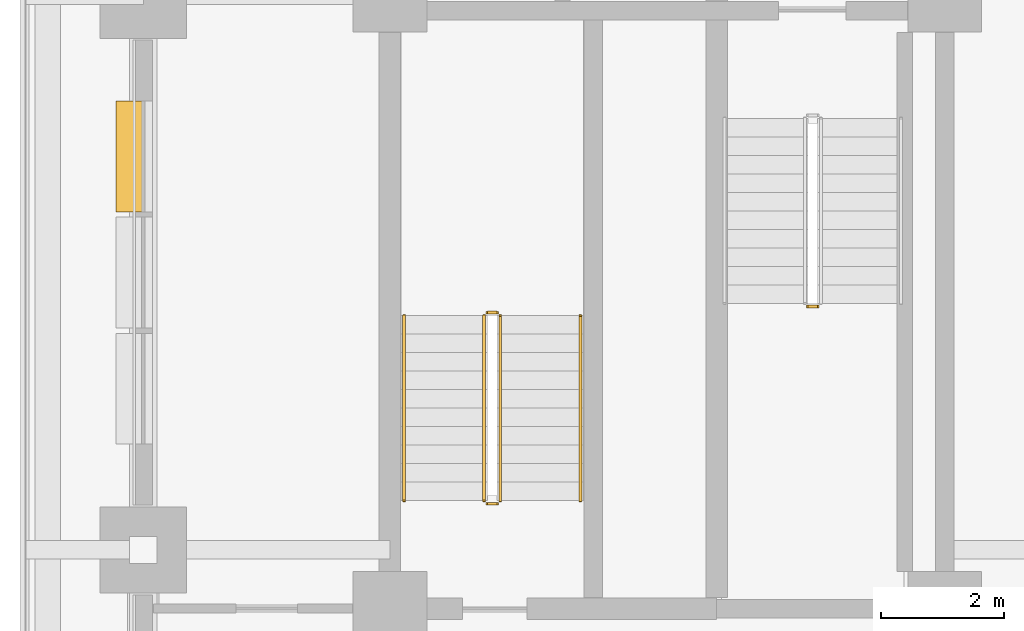
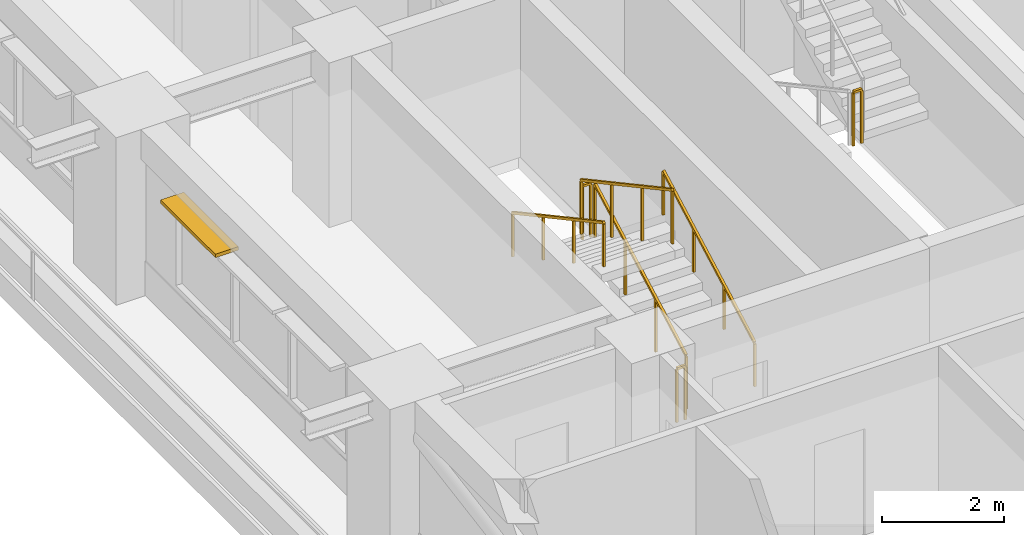
# One storey, part 9 of 15: 7 railings, 1 shading device.
"""IFC4 building model written with IfcOpenShell, lengths in metres."""

from ifc_helpers import new_model, si_unit, direction, frame, frame_2d, origin, origin_2d, place, context, subcontext, project, spatial, rectangle, extrude, material, layer, layer_set, type_object, element, save


model = new_model("IFC4")

# Units and contexts
model_context = context("Model", 3, precision=1e-05, world=origin(), true_north=direction((0.0, 1.0)))
body_context = subcontext(model_context, "Body", "Model", "MODEL_VIEW")
ifc_project = project(units=[si_unit("LENGTHUNIT", "METRE"), si_unit("AREAUNIT", "SQUARE_METRE"), si_unit("VOLUMEUNIT", "CUBIC_METRE"), si_unit("PLANEANGLEUNIT", "RADIAN"), si_unit("MASSUNIT", "GRAM", prefix="KILO")], contexts=[model_context])

# Site, building, storey
site_placement = place(None, origin())
site = spatial("IfcSite", under=ifc_project, at=site_placement, CompositionType="ELEMENT")
building_placement = place(site_placement, origin())
building = spatial("IfcBuilding", under=site, at=building_placement, Name="Zulmaris Gate Convention Tower", CompositionType="ELEMENT")
storey_placement = place(building_placement, frame((0.0, 0.0, 37.909912109375)))
storey = spatial("IfcBuildingStorey", under=building, at=storey_placement, Name="L08", CompositionType="ELEMENT", Elevation=37.909912109375)

# Railings
ifc_material_1 = material(Name="Painted Galvanised Steel", Category="steel")
railing_type_1 = type_object("IfcRailingType", Name="RL-STG-1150", PredefinedType="GUARDRAIL", material=ifc_material_1)
railing_1_placement = place(storey_placement, frame((-13.219970703125, -5.050048828125, 1.78515625)))
element("IfcRailing", 1, at=railing_1_placement, inside=storey, type_object=railing_type_1, Name="L08 ST-1 stair guard 2", PredefinedType="GUARDRAIL", context=body_context, shape_type="SweptSolid", body=[
    extrude(rectangle(XDim=0.048095703125, YDim=0.048095703125, at=origin_2d()), frame((0.0, 0.0, 1.076171875), z_axis=(1.0, 0.0, 0.0), x_axis=(0.0, 1.0, 0.0)), (0.0, 0.0, 1.0), 0.159912109375),
    extrude(rectangle(XDim=0.0419921875, YDim=0.0419921875, at=origin_2d()), origin(), (0.0, 0.0, 1.0), 1.052001953125),
    extrude(rectangle(XDim=0.0419921875, YDim=0.0419921875, at=origin_2d()), frame((0.159912109375, 0.0, 0.0)), (0.0, 0.0, 1.0), 1.052001953125),
])
railing_2_placement = place(storey_placement, frame((-18.2099609375, -8.199951171875, 0.162353515625)))
element("IfcRailing", 2, at=railing_2_placement, inside=storey, type_object=railing_type_1, Name="L08 ST-3 stair guard 1", PredefinedType="GUARDRAIL", context=body_context, shape_type="SweptSolid", body=[
    extrude(rectangle(XDim=0.048095703125, YDim=0.048095703125, at=origin_2d()), frame((0.0, 0.0, 1.076171875), z_axis=(0.0, 0.8795616155, 0.475784998228), x_axis=(-1.0, 0.0, 0.0)), (0.0, 0.0, 1.0), 3.410888671875),
    extrude(rectangle(XDim=0.0419921875, YDim=0.0419921875, at=origin_2d()), origin(), (0.0, 0.0, 1.0), 1.052001953125),
    extrude(rectangle(XDim=0.0419921875, YDim=0.0419921875, at=origin_2d()), frame((0.0, 1.0, 0.541015625)), (0.0, 0.0, 1.0), 1.052001953125),
    extrude(rectangle(XDim=0.0419921875, YDim=0.0419921875, at=origin_2d()), frame((0.0, 2.0, 1.081787109375)), (0.0, 0.0, 1.0), 1.052001953125),
    extrude(rectangle(XDim=0.0419921875, YDim=0.0419921875, at=origin_2d()), frame((0.0, 3.0, 1.622802734375)), (0.0, 0.0, 1.0), 1.052001953125),
])
railing_3_placement = place(storey_placement, frame((-18.260009765625, -5.14990234375, 1.78515625)))
element("IfcRailing", 3, at=railing_3_placement, inside=storey, type_object=railing_type_1, Name="L08 ST-3 stair guard 2", PredefinedType="GUARDRAIL", context=body_context, shape_type="SweptSolid", body=[
    extrude(rectangle(XDim=0.048095703125, YDim=0.048095703125, at=origin_2d()), frame((0.0, 0.0, 1.076171875), z_axis=(-1.0, 0.0, 0.0), x_axis=(0.0, -1.0, 0.0)), (0.0, 0.0, 1.0), 0.159912109375),
    extrude(rectangle(XDim=0.0419921875, YDim=0.0419921875, at=origin_2d()), origin(), (0.0, 0.0, 1.0), 1.052001953125),
    extrude(rectangle(XDim=0.0419921875, YDim=0.0419921875, at=origin_2d()), frame((-0.159912109375, 0.0, 0.0)), (0.0, 0.0, 1.0), 1.052001953125),
])
railing_4_placement = place(storey_placement, frame((-18.469970703125, -5.199951171875, 1.947265625)))
element("IfcRailing", 4, at=railing_4_placement, inside=storey, type_object=railing_type_1, Name="L08 ST-3 stair guard 3", PredefinedType="GUARDRAIL", context=body_context, shape_type="SweptSolid", body=[
    extrude(rectangle(XDim=0.048095703125, YDim=0.048095703125, at=origin_2d()), frame((0.0, 0.0, 1.076171875), z_axis=(0.0, -0.8795616155, 0.475784998228), x_axis=(1.0, 0.0, 0.0)), (0.0, 0.0, 1.0), 3.410888671875),
    extrude(rectangle(XDim=0.0419921875, YDim=0.0419921875, at=origin_2d()), origin(), (0.0, 0.0, 1.0), 1.052001953125),
    extrude(rectangle(XDim=0.0419921875, YDim=0.0419921875, at=origin_2d()), frame((0.0, -1.0, 0.541015625)), (0.0, 0.0, 1.0), 1.052001953125),
    extrude(rectangle(XDim=0.0419921875, YDim=0.0419921875, at=origin_2d()), frame((0.0, -2.0, 1.081787109375)), (0.0, 0.0, 1.0), 1.052001953125),
    extrude(rectangle(XDim=0.0419921875, YDim=0.0419921875, at=origin_2d()), frame((0.0, -3.0, 1.622802734375)), (0.0, 0.0, 1.0), 1.052001953125),
])
railing_5_placement = place(storey_placement, frame((-18.260009765625, -8.25, 0.0)))
element("IfcRailing", 5, at=railing_5_placement, inside=storey, type_object=railing_type_1, Name="L08 ST-3 stair guard 4", PredefinedType="GUARDRAIL", context=body_context, shape_type="SweptSolid", body=[
    extrude(rectangle(XDim=0.048095703125, YDim=0.048095703125, at=origin_2d()), frame((0.0, 0.0, 1.076171875), z_axis=(-1.0, 0.0, 0.0), x_axis=(0.0, -1.0, 0.0)), (0.0, 0.0, 1.0), 0.159912109375),
    extrude(rectangle(XDim=0.0419921875, YDim=0.0419921875, at=origin_2d()), origin(), (0.0, 0.0, 1.0), 1.052001953125),
    extrude(rectangle(XDim=0.0419921875, YDim=0.0419921875, at=origin_2d()), frame((-0.159912109375, 0.0, 0.0)), (0.0, 0.0, 1.0), 1.052001953125),
])
ifc_material_2 = material(Name="Brushed Stainless Steel", Category="steel")
railing_type_2 = type_object("IfcRailingType", Name="RL-STH-900", PredefinedType="HANDRAIL", material=ifc_material_2)
railing_6_placement = place(storey_placement, frame((-16.909912109375, -8.199951171875, 0.162353515625)))
element("IfcRailing", 6, at=railing_6_placement, inside=storey, type_object=railing_type_2, Name="L08 ST-3 stair handrail 1", PredefinedType="HANDRAIL", context=body_context, shape_type="SweptSolid", body=[
    extrude(rectangle(XDim=0.048095703125, YDim=0.048095703125, at=origin_2d()), frame((0.0, 0.0, 0.8759765625), z_axis=(0.0, 0.8795616155, 0.475784998228), x_axis=(-1.0, 0.0, 0.0)), (0.0, 0.0, 1.0), 3.410888671875),
    extrude(rectangle(XDim=0.0419921875, YDim=0.0419921875, at=origin_2d()), origin(), (0.0, 0.0, 1.0), 0.851806640625),
    extrude(rectangle(XDim=0.0419921875, YDim=0.0419921875, at=origin_2d()), frame((0.0, 1.0, 0.541015625)), (0.0, 0.0, 1.0), 0.851806640625),
    extrude(rectangle(XDim=0.0419921875, YDim=0.0419921875, at=origin_2d()), frame((0.0, 2.0, 1.081787109375)), (0.0, 0.0, 1.0), 0.851806640625),
    extrude(rectangle(XDim=0.0419921875, YDim=0.0419921875, at=origin_2d()), frame((0.0, 3.0, 1.622802734375)), (0.0, 0.0, 1.0), 0.851806640625),
])
railing_7_placement = place(storey_placement, frame((-19.77001953125, -5.199951171875, 1.947265625)))
element("IfcRailing", 7, at=railing_7_placement, inside=storey, type_object=railing_type_2, Name="L08 ST-3 stair handrail 2", PredefinedType="HANDRAIL", context=body_context, shape_type="SweptSolid", body=[
    extrude(rectangle(XDim=0.048095703125, YDim=0.048095703125, at=origin_2d()), frame((0.0, 0.0, 0.8759765625), z_axis=(0.0, -0.8795616155, 0.475784998228), x_axis=(1.0, 0.0, 0.0)), (0.0, 0.0, 1.0), 3.410888671875),
    extrude(rectangle(XDim=0.0419921875, YDim=0.0419921875, at=origin_2d()), origin(), (0.0, 0.0, 1.0), 0.851806640625),
    extrude(rectangle(XDim=0.0419921875, YDim=0.0419921875, at=origin_2d()), frame((0.0, -1.0, 0.541015625)), (0.0, 0.0, 1.0), 0.851806640625),
    extrude(rectangle(XDim=0.0419921875, YDim=0.0419921875, at=origin_2d()), frame((0.0, -2.0, 1.081787109375)), (0.0, 0.0, 1.0), 0.851806640625),
    extrude(rectangle(XDim=0.0419921875, YDim=0.0419921875, at=origin_2d()), frame((0.0, -3.0, 1.622802734375)), (0.0, 0.0, 1.0), 0.851806640625),
])

# Shading device
ifc_material_3 = material(Name="Glazed Ceramic Terracotta", Category="masonry")
ifc_layer = layer(ifc_material_3, 0.070068359375, Name="Glazed Ceramic Terracotta")
ifc_layer_set = layer_set([ifc_layer], Name="Glazed Ceramic Terracotta")
shading_device_type = type_object("IfcShadingDeviceType", Name="SHD-SUNSHADE-TC", PredefinedType="AWNING", material=ifc_layer_set)
shading_device_placement = place(storey_placement, frame((-24.219970703125, -1.715087890625, 2.530029296875), z_axis=(0.0, 0.0, 1.0), x_axis=(0.0, -1.0, 0.0)))
element("IfcShadingDevice", 8, at=shading_device_placement, inside=storey, type_object=shading_device_type, Name="SHD-EW-L08-W-1_0-1", PredefinedType="AWNING", context=body_context, shape_type="SweptSolid", body=[
    extrude(rectangle(XDim=1.7998046875, YDim=0.43994140625, at=frame_2d((0.89990234375, 0.0))), origin(), (0.0, 0.0, 1.0), 0.070068359375),
])

save(model, "model.ifc")
